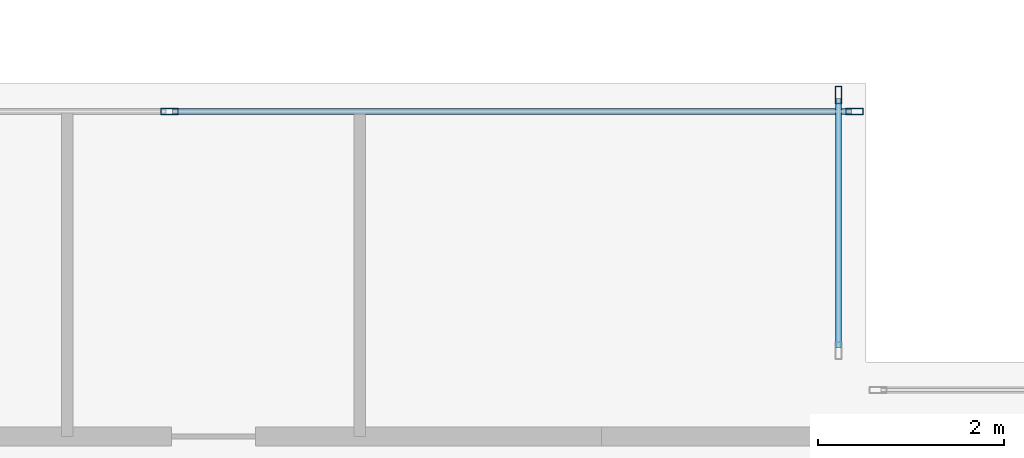
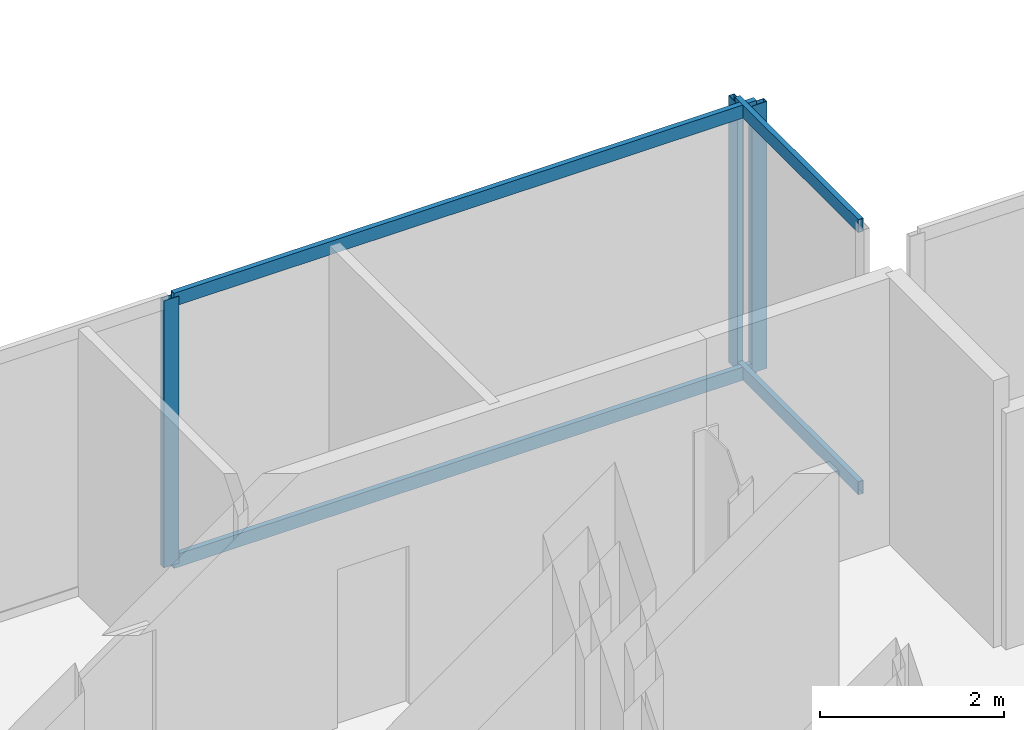
# One storey, part 13 of 25: 7 members, 2 elements without a shape of their own.
"""IFC4 building model written with IfcOpenShell, lengths in metres."""

from ifc_helpers import new_model, si_unit, direction, frame, origin, origin_2d, place, context, subcontext, project, spatial, hollow_rectangle, extrude, material, layer, layer_set, material_profile, profile_set, type_object, element, aggregate, save


model = new_model("IFC4")

# Units and contexts
model_context = context("Model", 3, precision=1e-05, world=origin(), true_north=direction((0.0, 1.0)))
body_context = subcontext(model_context, "Body", "Model", "MODEL_VIEW")
ifc_project = project(units=[si_unit("LENGTHUNIT", "METRE"), si_unit("AREAUNIT", "SQUARE_METRE"), si_unit("VOLUMEUNIT", "CUBIC_METRE"), si_unit("PLANEANGLEUNIT", "RADIAN"), si_unit("MASSUNIT", "GRAM", prefix="KILO"), si_unit("THERMODYNAMICTEMPERATUREUNIT", "KELVIN"), si_unit("POWERUNIT", "WATT")], contexts=[model_context])

# Site, building, storey
site_placement = place(None, origin())
site = spatial("IfcSite", under=ifc_project, at=site_placement, CompositionType="ELEMENT")
building_placement = place(site_placement, origin())
building = spatial("IfcBuilding", under=site, at=building_placement, Name="Svarakhadi Broadcast Tower", CompositionType="ELEMENT")
storey_placement = place(building_placement, frame((0.0, 0.0, 212.39990234375)))
storey = spatial("IfcBuildingStorey", under=building, at=storey_placement, Name="L52", CompositionType="ELEMENT", Elevation=212.39990234375)

# Curtain wall, members
ifc_material = material(Name="Anodised Bronze Aluminium AA 6063-T6", Category="aluminium")
ifc_layer = layer(ifc_material, 0.18994140625)
ifc_layer_set = layer_set([ifc_layer], Name="Anodised Bronze Aluminium AA 6063-T6")
curtain_wall_type = type_object("IfcCurtainWallType", Name="CW_Sys_04", PredefinedType="NOTDEFINED", material=ifc_layer_set)
curtain_wall_1_placement = place(storey_placement, origin())
curtain_wall_1 = element("IfcCurtainWall", 1, at=curtain_wall_1_placement, inside=storey, type_object=curtain_wall_type, Name="L52 Unitised Facade Curtain Wall 10", PredefinedType="NOTDEFINED")
ifc_material_profile_1 = material_profile(ifc_material, hollow_rectangle(XDim=0.070068359375, YDim=0.18994140625, WallThickness=0.005615234375, at=origin_2d()), Name="ALU MULLION 190x70x6")
ifc_profile_set_1 = profile_set([ifc_material_profile_1], Name="Anodised Bronze Aluminium AA 6063-T6")
member_type_1 = type_object("IfcMemberType", Name="CW_Sys_04_Mul", PredefinedType="MULLION", material=ifc_profile_set_1)
member_1_placement = place(storey_placement, frame((31.5, 23.699951171875, 0.0), z_axis=(0.0, 0.0, 1.0), x_axis=(0.0, 1.0, 0.0)))
member_1 = element("IfcMember", 2, at=member_1_placement, type_object=member_type_1, Name="CW-04 mullion 2", PredefinedType="MULLION", context=body_context, shape_type="SweptSolid", body=[
    extrude(hollow_rectangle(XDim=0.070068359375, YDim=0.18994140625, WallThickness=0.005615234375, at=origin_2d()), origin(), (0.0, 0.0, 1.0), 3.5400390625),
])
member_2_placement = place(storey_placement, frame((38.875, 23.699951171875, 0.0), z_axis=(0.0, 0.0, 1.0), x_axis=(0.0, 1.0, 0.0)))
member_2 = element("IfcMember", 3, at=member_2_placement, type_object=member_type_1, Name="CW-04 mullion 3", PredefinedType="MULLION", context=body_context, shape_type="SweptSolid", body=[
    extrude(hollow_rectangle(XDim=0.070068359375, YDim=0.18994140625, WallThickness=0.005615234375, at=origin_2d()), origin(), (0.0, 0.0, 1.0), 3.5400390625),
])

# Curtain wall, member
curtain_wall_2_placement = place(storey_placement, origin())
curtain_wall_2 = element("IfcCurtainWall", 4, at=curtain_wall_2_placement, inside=storey, type_object=curtain_wall_type, Name="L52 Unitised Facade Curtain Wall 11", PredefinedType="NOTDEFINED")
member_3_placement = place(storey_placement, frame((38.699951171875, 23.875, 0.0), z_axis=(0.0, 0.0, 1.0), x_axis=(1.0, 0.0, 0.0)))
member_3 = element("IfcMember", 5, at=member_3_placement, type_object=member_type_1, Name="CW-04 mullion 1", PredefinedType="MULLION", context=body_context, shape_type="SweptSolid", body=[
    extrude(hollow_rectangle(XDim=0.070068359375, YDim=0.18994140625, WallThickness=0.005615234375, at=origin_2d()), origin(), (0.0, 0.0, 1.0), 3.5400390625),
])

# Member
ifc_material_profile_2 = material_profile(ifc_material, hollow_rectangle(XDim=0.06494140625, YDim=0.175048828125, WallThickness=0.0048828125, at=origin_2d()), Name="ALU TRANSOM 175x65x5")
ifc_profile_set_2 = profile_set([ifc_material_profile_2], Name="Anodised Bronze Aluminium AA 6063-T6")
member_type_2 = type_object("IfcMemberType", Name="CW_Sys_04_Trn", PredefinedType="USERDEFINED", material=ifc_profile_set_2)
member_4_placement = place(storey_placement, frame((31.534912109375, 23.699951171875, 0.03271484375), z_axis=(1.0, 0.0, 0.0), x_axis=(0.0, 1.0, 0.0)))
member_4 = element("IfcMember", 6, at=member_4_placement, type_object=member_type_2, Name="CW-04 transom 2.1", ObjectType="TRANSOM", PredefinedType="USERDEFINED", context=body_context, shape_type="SweptSolid", body=[
    extrude(hollow_rectangle(XDim=0.06494140625, YDim=0.175048828125, WallThickness=0.0048828125, at=origin_2d()), origin(), (0.0, 0.0, 1.0), 7.30517578125),
])

member_5_placement = place(storey_placement, frame((31.534912109375, 23.699951171875, 3.507568359375), z_axis=(1.0, 0.0, 0.0), x_axis=(0.0, 1.0, 0.0)))
member_5 = element("IfcMember", 7, at=member_5_placement, type_object=member_type_2, Name="CW-04 transom 2.2", ObjectType="TRANSOM", PredefinedType="USERDEFINED", context=body_context, shape_type="SweptSolid", body=[
    extrude(hollow_rectangle(XDim=0.06494140625, YDim=0.175048828125, WallThickness=0.0048828125, at=origin_2d()), origin(), (0.0, 0.0, 1.0), 7.30517578125),
])

aggregate(curtain_wall_1, [member_1, member_2, member_4, member_5])

member_6_placement = place(storey_placement, frame((38.699951171875, 23.840087890625, 0.03271484375), z_axis=(0.0, -1.0, 0.0), x_axis=(1.0, 0.0, 0.0)))
member_6 = element("IfcMember", 8, at=member_6_placement, type_object=member_type_2, Name="CW-04 transom 1.1", ObjectType="TRANSOM", PredefinedType="USERDEFINED", context=body_context, shape_type="SweptSolid", body=[
    extrude(hollow_rectangle(XDim=0.06494140625, YDim=0.175048828125, WallThickness=0.0048828125, at=origin_2d()), origin(), (0.0, 0.0, 1.0), 2.68017578125),
])

member_7_placement = place(storey_placement, frame((38.699951171875, 23.840087890625, 3.507568359375), z_axis=(0.0, -1.0, 0.0), x_axis=(1.0, 0.0, 0.0)))
member_7 = element("IfcMember", 9, at=member_7_placement, type_object=member_type_2, Name="CW-04 transom 1.2", ObjectType="TRANSOM", PredefinedType="USERDEFINED", context=body_context, shape_type="SweptSolid", body=[
    extrude(hollow_rectangle(XDim=0.06494140625, YDim=0.175048828125, WallThickness=0.0048828125, at=origin_2d()), origin(), (0.0, 0.0, 1.0), 2.68017578125),
])

aggregate(curtain_wall_2, [member_3, member_6, member_7])

save(model, "model.ifc")
